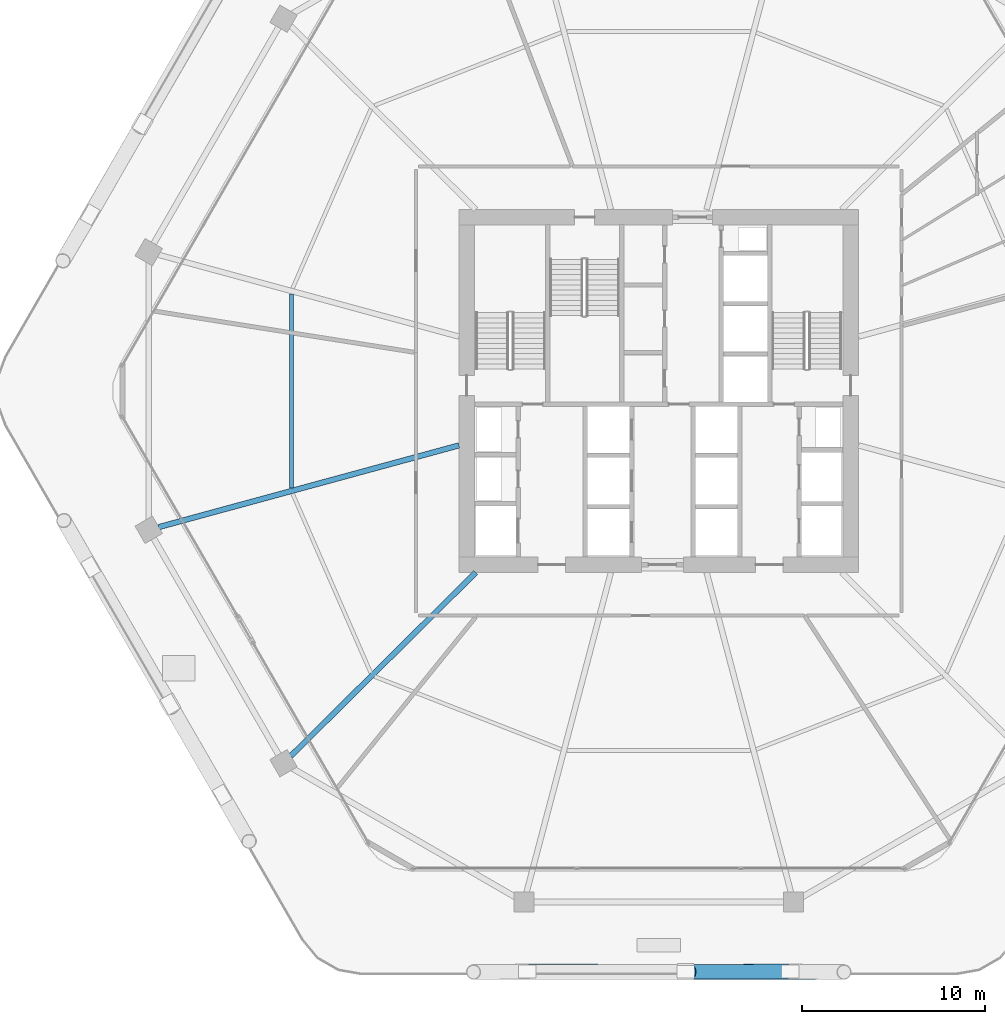
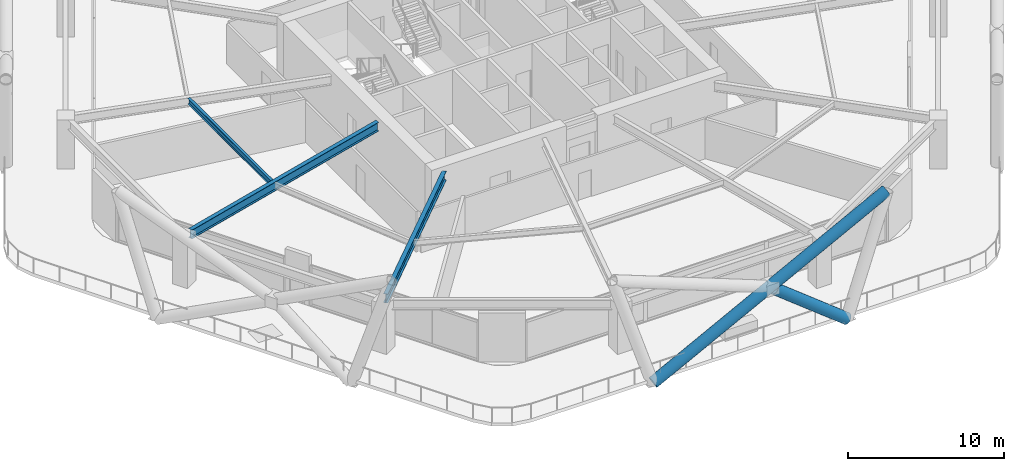
# One storey, part 7 of 28: 3 beams, 2 members.
"""IFC4 building model written with IfcOpenShell, lengths in metres."""

from ifc_helpers import new_model, si_unit, direction, frame, origin, origin_2d, place, context, subcontext, project, spatial, hollow_circle, i_section, extrude, material, material_profile, profile_set, type_object, element, save


model = new_model("IFC4")

# Units and contexts
model_context = context("Model", 3, precision=1e-05, world=origin(), true_north=direction((0.0, 1.0)))
body_context = subcontext(model_context, "Body", "Model", "MODEL_VIEW")
ifc_project = project(units=[si_unit("LENGTHUNIT", "METRE"), si_unit("AREAUNIT", "SQUARE_METRE"), si_unit("VOLUMEUNIT", "CUBIC_METRE"), si_unit("PLANEANGLEUNIT", "RADIAN"), si_unit("MASSUNIT", "GRAM", prefix="KILO")], contexts=[model_context])

# Site, building, storey
site_placement = place(None, origin())
site = spatial("IfcSite", under=ifc_project, at=site_placement, CompositionType="ELEMENT")
building_placement = place(site_placement, origin())
building = spatial("IfcBuilding", under=site, at=building_placement, Name="Zuhravey Tower", CompositionType="ELEMENT")
storey_placement = place(building_placement, frame((0.0, 0.0, 83.39990234375)))
storey = spatial("IfcBuildingStorey", under=building, at=storey_placement, Name="L20", CompositionType="ELEMENT", Elevation=83.39990234375)

# Members
ifc_material_1 = material(Name="Steel SM460", Category="steel")
ifc_material_profile_1 = material_profile(ifc_material_1, hollow_circle(Radius=0.406494140625, WallThickness=0.035888671875, at=origin_2d()), Name="CHS-812.8x36")
ifc_profile_set_1 = profile_set([ifc_material_profile_1], Name="Steel SM460")
member_type = type_object("IfcMemberType", Name="Exoskeleton Zone 1 Diagrid CHS813x36", PredefinedType="BRACE", material=ifc_profile_set_1)
member_1_placement = place(storey_placement, frame((28.848388671875, 0.25146484375, -0.471923828125), z_axis=(0.886834164884, -0.001531621859, 0.462085293132), x_axis=(0.001727064242, 0.999998508623, 0.0)))
element("IfcMember", 1, at=member_1_placement, inside=storey, type_object=member_type, Name="L20 Face 5 Diagrid Brace 2", PredefinedType="BRACE", context=body_context, shape_type="SweptSolid", body=[
    extrude(hollow_circle(Radius=0.406494140625, WallThickness=0.035888671875, at=origin_2d()), origin(), (0.0, 0.0, 1.0), 19.44677734375),
])
member_2_placement = place(storey_placement, frame((43.156494140625, 0.25146484375, -0.46435546875), z_axis=(-0.785073688255, -0.002068705371, 0.619398921914), x_axis=(0.002635036965, -0.999996528284, 0.0)))
element("IfcMember", 2, at=member_2_placement, inside=storey, type_object=member_type, Name="L20 Face 5 Split Diagrid Brace 3A", PredefinedType="BRACE", context=body_context, shape_type="SweptSolid", body=[
    extrude(hollow_circle(Radius=0.406494140625, WallThickness=0.035888671875, at=origin_2d()), origin(), (0.0, 0.0, 1.0), 6.844970703125),
])

# Beams
ifc_material_2 = material(Name="Steel SM355", Category="steel")
ifc_material_profile_2 = material_profile(ifc_material_2, i_section(OverallWidth=0.300048828125, OverallDepth=0.699951171875, WebThickness=0.012939453125, FlangeThickness=0.02392578125, at=origin_2d()), Name="H-700x300x13x24")
ifc_profile_set_2 = profile_set([ifc_material_profile_2], Name="Steel SM355")
beam_type_1 = type_object("IfcBeamType", Name="Radial Primary Girder H700x300", PredefinedType="BEAM", material=ifc_profile_set_2)
beam_1_placement = place(storey_placement, frame((25.072021484375, 29.025390625, 3.5), z_axis=(-0.964891112932, -0.262650224032, 0.0), x_axis=(0.262650224032, -0.964891112932, 0.0)))
element("IfcBeam", 3, at=beam_1_placement, inside=storey, type_object=beam_type_1, Name="L20 RG1 BM-L20-RAD-07", PredefinedType="BEAM", context=body_context, shape_type="SweptSolid", body=[
    extrude(i_section(OverallWidth=0.300048828125, OverallDepth=0.699951171875, WebThickness=0.012939453125, FlangeThickness=0.02392578125, at=origin_2d()), origin(), (0.0, 0.0, 1.0), 17.025146484375),
])
beam_2_placement = place(storey_placement, frame((25.992919921875, 22.072021484375, 3.5), z_axis=(-0.709901518563, -0.704300954097, 0.0), x_axis=(0.704300954097, -0.709901518563, 0.0)))
element("IfcBeam", 4, at=beam_2_placement, inside=storey, type_object=beam_type_1, Name="L20 RG1 BM-L20-RAD-08", PredefinedType="BEAM", context=body_context, shape_type="SweptSolid", body=[
    extrude(i_section(OverallWidth=0.300048828125, OverallDepth=0.699951171875, WebThickness=0.012939453125, FlangeThickness=0.02392578125, at=origin_2d()), origin(), (0.0, 0.0, 1.0), 14.254638671875),
])
ifc_material_profile_3 = material_profile(ifc_material_2, i_section(OverallWidth=0.199951171875, OverallDepth=0.449951171875, WebThickness=0.009033203125, FlangeThickness=0.013916015625, at=origin_2d()), Name="H-450x200x9x14")
ifc_profile_set_3 = profile_set([ifc_material_profile_3], Name="Steel SM355")
beam_type_2 = type_object("IfcBeamType", Name="Secondary Floor Joist H450x200", PredefinedType="JOIST", material=ifc_profile_set_3)
beam_3_placement = place(storey_placement, frame((15.9130859375, 37.313720703125, 3.625), z_axis=(0.0, -1.0, 0.0), x_axis=(1.0, 0.0, 0.0)))
element("IfcBeam", 5, at=beam_3_placement, inside=storey, type_object=beam_type_2, Name="L20 SJ1 BM-L20-SJ-06-1", PredefinedType="JOIST", context=body_context, shape_type="SweptSolid", body=[
    extrude(i_section(OverallWidth=0.199951171875, OverallDepth=0.449951171875, WebThickness=0.009033203125, FlangeThickness=0.013916015625, at=origin_2d()), origin(), (0.0, 0.0, 1.0), 10.62744140625),
])

save(model, "model.ifc")
